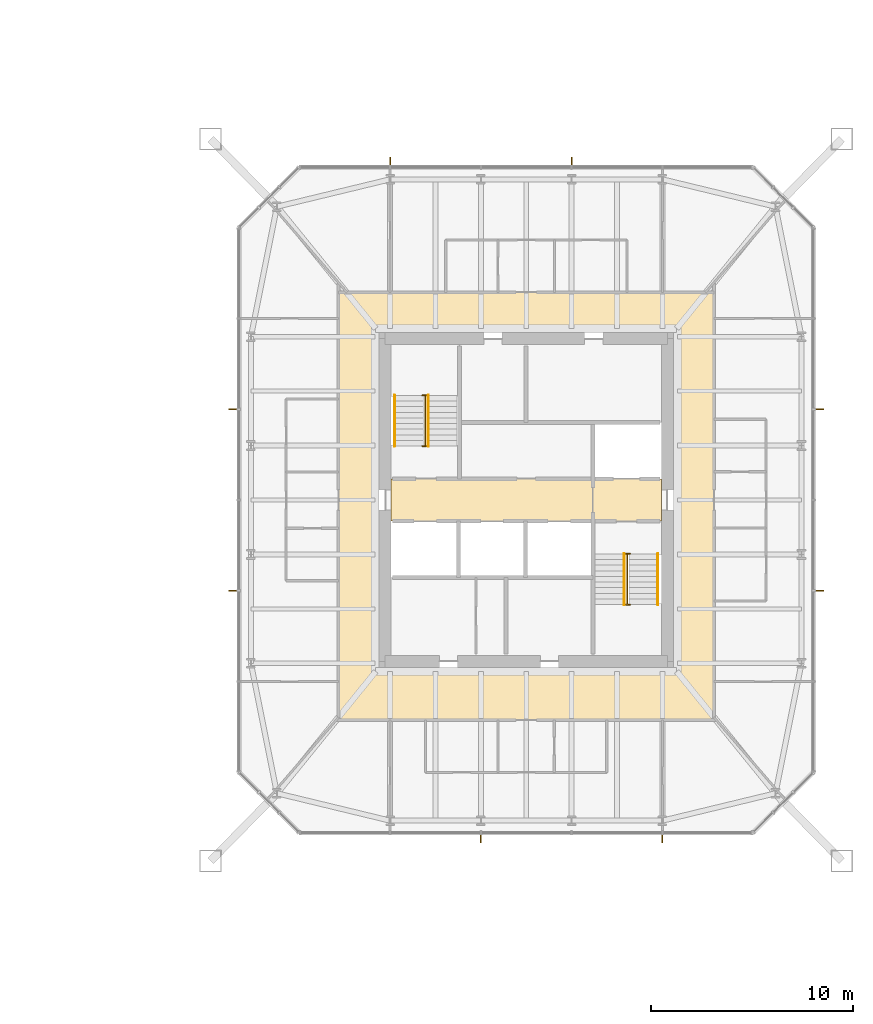
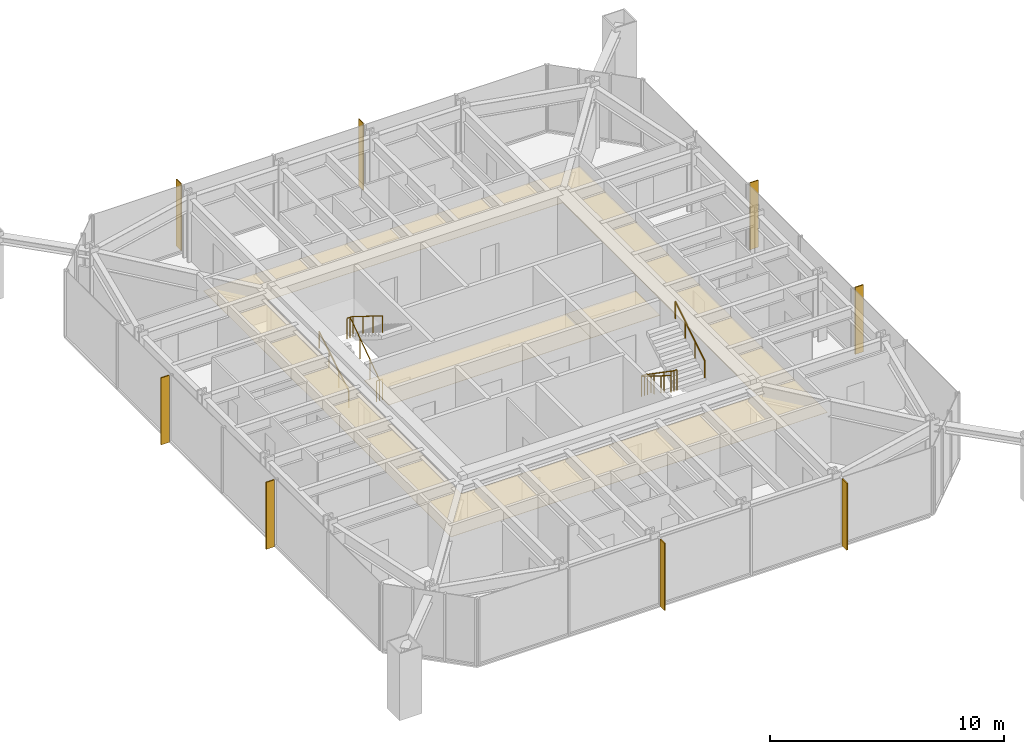
# One storey, part 25 of 25: 8 shading devices, 6 railings, 3 coverings.
"""IFC4 building model written with IfcOpenShell, lengths in metres."""

from ifc_helpers import new_model, si_unit, direction, frame, origin, origin_2d, place, context, subcontext, project, spatial, polyline, rectangle, circle, outline, extrude, material, layer, layer_set, constituent, constituent_set, type_object, element, save


model = new_model("IFC4")

# Units and contexts
model_context = context("Model", 3, precision=1e-05, world=origin(), true_north=direction((0.0, 1.0)))
body_context = subcontext(model_context, "Body", "Model", "MODEL_VIEW")
ifc_project = project(units=[si_unit("LENGTHUNIT", "METRE"), si_unit("AREAUNIT", "SQUARE_METRE"), si_unit("VOLUMEUNIT", "CUBIC_METRE"), si_unit("PLANEANGLEUNIT", "RADIAN"), si_unit("MASSUNIT", "GRAM", prefix="KILO")], contexts=[model_context])

# Site, building, storey
site_placement = place(None, origin())
site = spatial("IfcSite", under=ifc_project, at=site_placement, CompositionType="ELEMENT")
building_placement = place(site_placement, origin())
building = spatial("IfcBuilding", under=site, at=building_placement, Name="Iwan Alto Co-Living Towers", CompositionType="ELEMENT")
storey_placement = place(building_placement, frame((0.0, 0.0, 119.0)))
storey = spatial("IfcBuildingStorey", under=building, at=storey_placement, Name="L32", CompositionType="ELEMENT", Elevation=119.0)

# Coverings
ifc_material_1 = material(Name="Mineral fibre acoustic tiles on steel grid", Category="steel")
ifc_layer_1 = layer(ifc_material_1, 0.02001953125)
ifc_layer_set_1 = layer_set([ifc_layer_1], Name="ACOUSTIC TILE CEILING 20")
covering_type_1 = type_object("IfcCoveringType", Name="ACOUSTIC TILE CEILING 20", PredefinedType="CEILING", material=ifc_layer_set_1)
covering_1_placement = place(storey_placement, frame((0.0, 0.0, 2.60009765625)))
element("IfcCovering", 1, at=covering_1_placement, inside=storey, type_object=covering_type_1, Name="Ceiling Lift lobby L32", PredefinedType="CEILING", context=body_context, shape_type="SweptSolid", body=[
    extrude(outline(polyline([(56.300048828125, -1.050048828125), (56.300048828125, 1.050048828125), (66.300048828125, 1.050048828125), (66.300048828125, -1.050048828125), (56.300048828125, -1.050048828125)])), origin(), (0.0, 0.0, 1.0), 0.02001953125),
])
covering_2_placement = place(storey_placement, frame((0.0, 0.0, 2.60009765625)))
element("IfcCovering", 2, at=covering_2_placement, inside=storey, type_object=covering_type_1, Name="Ceiling Firefighting lobby L32", PredefinedType="CEILING", context=body_context, shape_type="SweptSolid", body=[
    extrude(outline(polyline([(66.300048828125, -1.050048828125), (66.300048828125, 1.050048828125), (69.699951171875, 1.050048828125), (69.699951171875, -1.050048828125), (66.300048828125, -1.050048828125)])), origin(), (0.0, 0.0, 1.0), 0.02001953125),
])

# Shading devices
ifc_material_2 = material(Name="Aluminium 6063-T6 bronze anodised", Category="aluminium")
ifc_layer_2 = layer(ifc_material_2, 0.050048828125)
ifc_layer_set_2 = layer_set([ifc_layer_2], Name="BRONZE FIN 50X400")
shading_device_type = type_object("IfcShadingDeviceType", Name="BRONZE FIN 50X400", PredefinedType="USERDEFINED", material=ifc_layer_set_2)
for number, where, z_axis, x_axis, name in (
    (3, (60.75, -16.800048828125, 0.0), (0.0, 0.0, 1.0), (1.0, 0.0, 0.0), "Bronze fin L32"),
    (4, (69.75, -16.800048828125, 0.0), (0.0, 0.0, 1.0), (1.0, 0.0, 0.0), "Bronze fin L32"),
    (5, (77.550048828125, -4.5, 0.0), (0.0, 0.0, 1.0), (0.0, 1.0, 0.0), "Bronze fin L32"),
    (6, (77.550048828125, 4.5, 0.0), (0.0, 0.0, 1.0), (0.0, 1.0, 0.0), "Bronze fin L32"),
    (7, (65.25, 16.800048828125, 0.0), (0.0, 0.0, 1.0), (-1.0, 0.0, 0.0), "Bronze fin L32"),
    (8, (56.25, 16.800048828125, 0.0), (0.0, 0.0, 1.0), (-1.0, 0.0, 0.0), "Bronze fin L32"),
    (9, (48.449951171875, 4.5, 0.0), (0.0, 0.0, 1.0), (0.0, -1.0, 0.0), "Bronze fin L32"),
    (10, (48.449951171875, -4.5, 0.0), (0.0, 0.0, 1.0), (0.0, -1.0, 0.0), "Bronze fin L32"),
):
    element("IfcShadingDevice", number, at=place(storey_placement, frame(where, z_axis=z_axis, x_axis=x_axis)), inside=storey, type_object=shading_device_type, Name=name, ObjectType="LOUVER", PredefinedType="USERDEFINED", context=body_context, shape_type="SweptSolid", body=[
        extrude(rectangle(XDim=0.050048828125, YDim=0.39990234375, at=origin_2d()), origin(), (0.0, 0.0, 1.0), 3.5),
    ])

# Railings
ifc_material_3 = material(Name="Steel ASTM A500 Gr C", Category="steel")
ifc_constituent_1 = constituent(ifc_material_3, Name="Rails and posts", Category="Framing")
ifc_material_4 = material(Name="Steel ASTM A36", Category="steel")
ifc_constituent_2 = constituent(ifc_material_4, Name="Bar infill", Category="Infill")
ifc_constituent_set = constituent_set(constituents=[ifc_constituent_1, ifc_constituent_2], Name="STAIR GUARD 1100")
railing_type_1 = type_object("IfcRailingType", Name="STAIR GUARD 1100", PredefinedType="GUARDRAIL", material=ifc_constituent_set)
railing_1_placement = place(storey_placement, frame((58.0, 2.669921875, 0.0)))
element("IfcRailing", 11, at=railing_1_placement, inside=storey, type_object=railing_type_1, Name="Stair T2-S1 well guard L32", PredefinedType="GUARDRAIL", context=body_context, shape_type="SweptSolid", body=[
    extrude(circle(Radius=0.02392578125, at=origin_2d()), frame((0.0, 0.0, 1.076171875), z_axis=(0.0, 0.821372036852, 0.570392826987), x_axis=(-1.0, 0.0, 0.0)), (0.0, 0.0, 1.0), 3.068115234375),
    extrude(circle(Radius=0.02392578125, at=origin_2d()), frame((-0.14990234375, 0.0, 1.076171875), z_axis=(1.0, 0.0, 0.0), x_axis=(0.0, 1.0, 0.0)), (0.0, 0.0, 1.0), 0.2998046875),
    extrude(circle(Radius=0.02392578125, at=origin_2d()), frame((-0.14990234375, 2.52001953125, 2.826171875), z_axis=(1.0, 0.0, 0.0), x_axis=(0.0, 1.0, 0.0)), (0.0, 0.0, 1.0), 0.2998046875),
    extrude(circle(Radius=0.02099609375, at=origin_2d()), origin(), (0.0, 0.0, 1.0), 1.052001953125),
    extrude(circle(Radius=0.02099609375, at=origin_2d()), frame((0.0, 0.840087890625, 0.583251953125)), (0.0, 0.0, 1.0), 1.052001953125),
    extrude(circle(Radius=0.02099609375, at=origin_2d()), frame((0.0, 1.679931640625, 1.166748046875)), (0.0, 0.0, 1.0), 1.052001953125),
    extrude(circle(Radius=0.02099609375, at=origin_2d()), frame((0.0, 2.52001953125, 1.75)), (0.0, 0.0, 1.0), 1.052001953125),
    extrude(circle(Radius=0.02099609375, at=origin_2d()), frame((-0.14990234375, 0.0, 0.0)), (0.0, 0.0, 1.0), 1.052001953125),
    extrude(circle(Radius=0.02099609375, at=origin_2d()), frame((0.14990234375, 0.0, 0.0)), (0.0, 0.0, 1.0), 1.052001953125),
    extrude(circle(Radius=0.02099609375, at=origin_2d()), frame((-0.14990234375, 2.52001953125, 1.75)), (0.0, 0.0, 1.0), 1.052001953125),
    extrude(circle(Radius=0.02099609375, at=origin_2d()), frame((0.14990234375, 2.52001953125, 1.75)), (0.0, 0.0, 1.0), 1.052001953125),
])
railing_2_placement = place(storey_placement, frame((68.0, -2.669921875, 0.0)))
element("IfcRailing", 12, at=railing_2_placement, inside=storey, type_object=railing_type_1, Name="Stair T2-S2 well guard L32", PredefinedType="GUARDRAIL", context=body_context, shape_type="SweptSolid", body=[
    extrude(circle(Radius=0.02392578125, at=origin_2d()), frame((0.0, 0.0, 1.076171875), z_axis=(0.0, -0.821372036852, 0.570392826987), x_axis=(1.0, 0.0, 0.0)), (0.0, 0.0, 1.0), 3.068115234375),
    extrude(circle(Radius=0.02392578125, at=origin_2d()), frame((-0.14990234375, 0.0, 1.076171875), z_axis=(1.0, 0.0, 0.0), x_axis=(0.0, 1.0, 0.0)), (0.0, 0.0, 1.0), 0.2998046875),
    extrude(circle(Radius=0.02392578125, at=origin_2d()), frame((-0.14990234375, -2.52001953125, 2.826171875), z_axis=(1.0, 0.0, 0.0), x_axis=(0.0, 1.0, 0.0)), (0.0, 0.0, 1.0), 0.2998046875),
    extrude(circle(Radius=0.02099609375, at=origin_2d()), origin(), (0.0, 0.0, 1.0), 1.052001953125),
    extrude(circle(Radius=0.02099609375, at=origin_2d()), frame((0.0, -0.840087890625, 0.583251953125)), (0.0, 0.0, 1.0), 1.052001953125),
    extrude(circle(Radius=0.02099609375, at=origin_2d()), frame((0.0, -1.679931640625, 1.166748046875)), (0.0, 0.0, 1.0), 1.052001953125),
    extrude(circle(Radius=0.02099609375, at=origin_2d()), frame((0.0, -2.52001953125, 1.75)), (0.0, 0.0, 1.0), 1.052001953125),
    extrude(circle(Radius=0.02099609375, at=origin_2d()), frame((-0.14990234375, 0.0, 0.0)), (0.0, 0.0, 1.0), 1.052001953125),
    extrude(circle(Radius=0.02099609375, at=origin_2d()), frame((0.14990234375, 0.0, 0.0)), (0.0, 0.0, 1.0), 1.052001953125),
    extrude(circle(Radius=0.02099609375, at=origin_2d()), frame((-0.14990234375, -2.52001953125, 1.75)), (0.0, 0.0, 1.0), 1.052001953125),
    extrude(circle(Radius=0.02099609375, at=origin_2d()), frame((0.14990234375, -2.52001953125, 1.75)), (0.0, 0.0, 1.0), 1.052001953125),
])
ifc_material_5 = material(Name="Steel ASTM A500 Gr C", Category="steel")
railing_type_2 = type_object("IfcRailingType", Name="STAIR HANDRAIL 900", PredefinedType="HANDRAIL", material=ifc_material_5)
railing_3_placement = place(storey_placement, frame((56.469970703125, 2.669921875, 0.175048828125)))
element("IfcRailing", 13, at=railing_3_placement, inside=storey, type_object=railing_type_2, Name="Stair T2-S1 handrail 1 L32", PredefinedType="HANDRAIL", context=body_context, shape_type="SweptSolid", body=[
    extrude(circle(Radius=0.02392578125, at=origin_2d()), frame((0.0, 0.0, 0.8759765625), z_axis=(0.0, 0.848007534815, 0.529984170421), x_axis=(-1.0, 0.0, 0.0)), (0.0, 0.0, 1.0), 2.9716796875),
    extrude(circle(Radius=0.02099609375, at=origin_2d()), origin(), (0.0, 0.0, 1.0), 0.851806640625),
    extrude(circle(Radius=0.02099609375, at=origin_2d()), frame((0.0, 0.840087890625, 0.52490234375)), (0.0, 0.0, 1.0), 0.851806640625),
    extrude(circle(Radius=0.02099609375, at=origin_2d()), frame((0.0, 1.679931640625, 1.050048828125)), (0.0, 0.0, 1.0), 0.851806640625),
    extrude(circle(Radius=0.02099609375, at=origin_2d()), frame((0.0, 2.52001953125, 1.574951171875)), (0.0, 0.0, 1.0), 0.851806640625),
])
for number, where, name in (
    (14, (58.14990234375, 5.18994140625, 1.925048828125), "Stair T2-S1 handrail 2 L32"),
    (15, (67.85009765625, -2.669921875, 0.175048828125), "Stair T2-S2 handrail 1 L32"),
):
    element("IfcRailing", number, at=place(storey_placement, frame(where)), inside=storey, type_object=railing_type_2, Name=name, PredefinedType="HANDRAIL", context=body_context, shape_type="SweptSolid", body=[
        extrude(circle(Radius=0.02392578125, at=origin_2d()), frame((0.0, 0.0, 0.8759765625), z_axis=(0.0, -0.848007534815, 0.529984170421), x_axis=(1.0, 0.0, 0.0)), (0.0, 0.0, 1.0), 2.9716796875),
        extrude(circle(Radius=0.02099609375, at=origin_2d()), origin(), (0.0, 0.0, 1.0), 0.851806640625),
        extrude(circle(Radius=0.02099609375, at=origin_2d()), frame((0.0, -0.840087890625, 0.52490234375)), (0.0, 0.0, 1.0), 0.851806640625),
        extrude(circle(Radius=0.02099609375, at=origin_2d()), frame((0.0, -1.679931640625, 1.050048828125)), (0.0, 0.0, 1.0), 0.851806640625),
        extrude(circle(Radius=0.02099609375, at=origin_2d()), frame((0.0, -2.52001953125, 1.574951171875)), (0.0, 0.0, 1.0), 0.851806640625),
    ])
railing_4_placement = place(storey_placement, frame((69.530029296875, -5.18994140625, 1.925048828125)))
element("IfcRailing", 16, at=railing_4_placement, inside=storey, type_object=railing_type_2, Name="Stair T2-S2 handrail 2 L32", PredefinedType="HANDRAIL", context=body_context, shape_type="SweptSolid", body=[
    extrude(circle(Radius=0.02392578125, at=origin_2d()), frame((0.0, 0.0, 0.8759765625), z_axis=(0.0, 0.848007534815, 0.529984170421), x_axis=(-1.0, 0.0, 0.0)), (0.0, 0.0, 1.0), 2.9716796875),
    extrude(circle(Radius=0.02099609375, at=origin_2d()), origin(), (0.0, 0.0, 1.0), 0.851806640625),
    extrude(circle(Radius=0.02099609375, at=origin_2d()), frame((0.0, 0.840087890625, 0.52490234375)), (0.0, 0.0, 1.0), 0.851806640625),
    extrude(circle(Radius=0.02099609375, at=origin_2d()), frame((0.0, 1.679931640625, 1.050048828125)), (0.0, 0.0, 1.0), 0.851806640625),
    extrude(circle(Radius=0.02099609375, at=origin_2d()), frame((0.0, 2.52001953125, 1.574951171875)), (0.0, 0.0, 1.0), 0.851806640625),
])

# Covering
ifc_material_6 = material(Name="Gypsum plasterboard on steel grid", Category="steel")
ifc_layer_3 = layer(ifc_material_6, 0.014892578125)
ifc_layer_set_3 = layer_set([ifc_layer_3], Name="SUSPENDED PLASTERBOARD CEILING 15")
covering_type_2 = type_object("IfcCoveringType", Name="SUSPENDED PLASTERBOARD CEILING 15", PredefinedType="CEILING", material=ifc_layer_set_3)
covering_3_placement = place(storey_placement, frame((0.0, 0.0, 2.60009765625)))
element("IfcCovering", 17, at=covering_3_placement, inside=storey, type_object=covering_type_2, Name="Ceiling Corridor L32", PredefinedType="CEILING", context=body_context, shape_type="SweptSolid", body=[
    extrude(outline(polyline([(53.699951171875, 10.300048828125), (72.300048828125, 10.300048828125), (72.300048828125, -10.89990234375), (53.699951171875, -10.89990234375), (53.699951171875, 10.300048828125)]), holes=[polyline([(55.699951171875, 8.300048828125), (55.699951171875, -8.300048828125), (70.300048828125, -8.300048828125), (70.300048828125, 8.300048828125), (55.699951171875, 8.300048828125)])]), origin(), (0.0, 0.0, 1.0), 0.014892578125),
])

save(model, "model.ifc")
